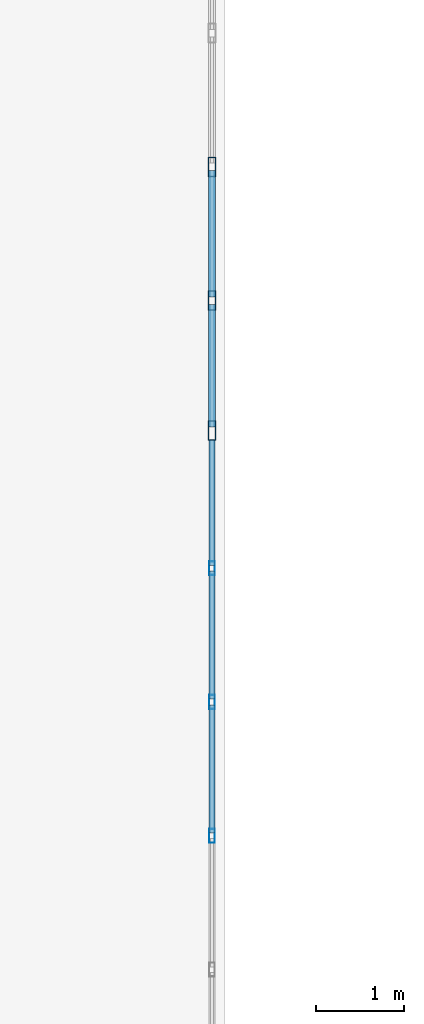
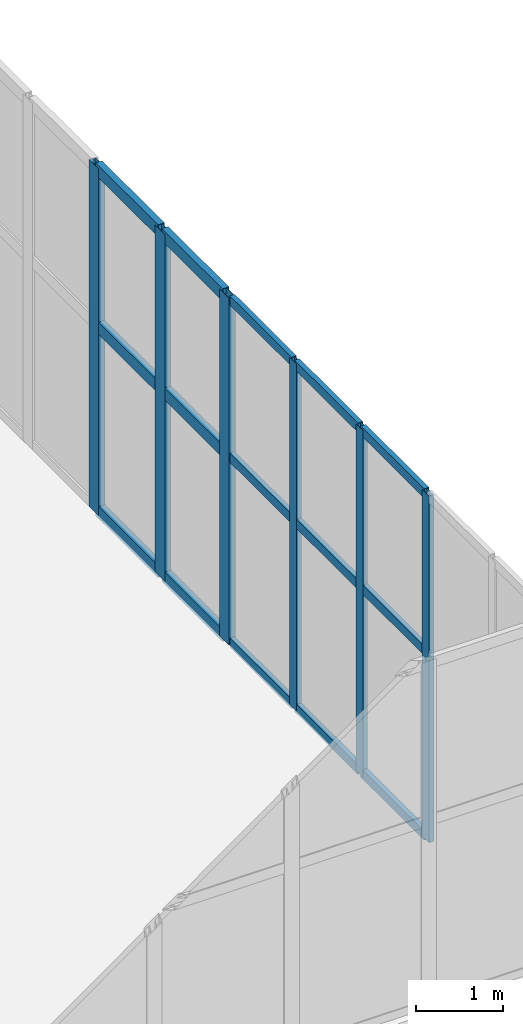
# One storey, part 45 of 128: 21 members, 2 elements without a shape of their own.
"""IFC4 building model written with IfcOpenShell, lengths in metres."""

from ifc_helpers import new_model, si_unit, direction, frame, origin, origin_2d, place, context, subcontext, project, spatial, hollow_rectangle, extrude, material, layer, layer_set, material_profile, profile_set, type_object, element, aggregate, save


model = new_model("IFC4")

# Units and contexts
model_context = context("Model", 3, precision=1e-05, world=origin(), true_north=direction((0.0, 1.0)))
body_context = subcontext(model_context, "Body", "Model", "MODEL_VIEW")
ifc_project = project(units=[si_unit("LENGTHUNIT", "METRE"), si_unit("AREAUNIT", "SQUARE_METRE"), si_unit("VOLUMEUNIT", "CUBIC_METRE"), si_unit("PLANEANGLEUNIT", "RADIAN"), si_unit("MASSUNIT", "GRAM", prefix="KILO")], contexts=[model_context])

# Site, building, storey
site_placement = place(None, origin())
site = spatial("IfcSite", under=ifc_project, at=site_placement, CompositionType="ELEMENT")
building_placement = place(site_placement, origin())
building = spatial("IfcBuilding", under=site, at=building_placement, Name="Xicomal Pleat Aquarium", CompositionType="ELEMENT")
storey_placement = place(building_placement, frame((0.0, 0.0, 5.39990234375)))
storey = spatial("IfcBuildingStorey", under=building, at=storey_placement, Name="L02", CompositionType="ELEMENT", Elevation=5.39990234375)

# Curtain wall, members
ifc_material_1 = material(Name="Bronze anodized aluminium 6063-T6", Category="aluminium")
ifc_layer_1 = layer(ifc_material_1, 0.159912109375)
ifc_layer_set_1 = layer_set([ifc_layer_1], Name="Bronze anodized aluminium 6063-T6")
curtain_wall_type_1 = type_object("IfcCurtainWallType", Name="CW-SYS-02", PredefinedType="NOTDEFINED", material=ifc_layer_set_1)
curtain_wall_1_placement = place(storey_placement, origin())
curtain_wall_1 = element("IfcCurtainWall", 1, at=curtain_wall_1_placement, inside=storey, type_object=curtain_wall_type_1, Name="L02 unitised curtain wall CW-L02-114", PredefinedType="NOTDEFINED")
ifc_material_2 = material(Name="Bronze anodized aluminium 6063-T6", Category="aluminium")
ifc_material_profile_1 = material_profile(ifc_material_2, hollow_rectangle(XDim=0.06494140625, YDim=0.159912109375, WallThickness=0.00390625, at=origin_2d()), Name="ALU MULL 65x160")
ifc_profile_set_1 = profile_set([ifc_material_profile_1], Name="Bronze anodized aluminium 6063-T6")
member_type_1 = type_object("IfcMemberType", Name="CWM-65x160", PredefinedType="MULLION", material=ifc_profile_set_1)
member_1_placement = place(storey_placement, frame((125.860107421875, 44.080078125, 0.0), z_axis=(0.0, 0.0, 1.0), x_axis=(1.0, 0.0, 0.0)))
member_1 = element("IfcMember", 2, at=member_1_placement, type_object=member_type_1, Name="CW-02 mullion 2", PredefinedType="MULLION", context=body_context, shape_type="SweptSolid", body=[
    extrude(hollow_rectangle(XDim=0.06494140625, YDim=0.159912109375, WallThickness=0.00390625, at=origin_2d()), origin(), (0.0, 0.0, 1.0), 4.860107421875),
])
member_2_placement = place(storey_placement, frame((125.860107421875, 42.56005859375, 0.0), z_axis=(0.0, 0.0, 1.0), x_axis=(1.0, 0.0, 0.0)))
member_2 = element("IfcMember", 3, at=member_2_placement, type_object=member_type_1, Name="CW-02 mullion 3", PredefinedType="MULLION", context=body_context, shape_type="SweptSolid", body=[
    extrude(hollow_rectangle(XDim=0.06494140625, YDim=0.159912109375, WallThickness=0.00390625, at=origin_2d()), origin(), (0.0, 0.0, 1.0), 4.860107421875),
])
member_3_placement = place(storey_placement, frame((125.860107421875, 41.0400390625, 0.0), z_axis=(0.0, 0.0, 1.0), x_axis=(1.0, 0.0, 0.0)))
member_3 = element("IfcMember", 4, at=member_3_placement, type_object=member_type_1, Name="CW-02 mullion 4", PredefinedType="MULLION", context=body_context, shape_type="SweptSolid", body=[
    extrude(hollow_rectangle(XDim=0.06494140625, YDim=0.159912109375, WallThickness=0.00390625, at=origin_2d()), origin(), (0.0, 0.0, 1.0), 4.860107421875),
])

ifc_material_3 = material(Name="Bronze anodized aluminium 6063-T6", Category="aluminium")
ifc_layer_2 = layer(ifc_material_3, 0.159912109375)
ifc_layer_set_2 = layer_set([ifc_layer_2], Name="Bronze anodized aluminium 6063-T6")
curtain_wall_type_2 = type_object("IfcCurtainWallType", Name="CW-SYS-12", PredefinedType="NOTDEFINED", material=ifc_layer_set_2)
curtain_wall_2_placement = place(storey_placement, origin())
curtain_wall_2 = element("IfcCurtainWall", 5, at=curtain_wall_2_placement, inside=storey, type_object=curtain_wall_type_2, Name="L02 unitised curtain wall CW-L02-113", PredefinedType="NOTDEFINED")
ifc_material_4 = material(Name="Bronze anodized aluminium 6063-T6", Category="aluminium")
ifc_material_profile_2 = material_profile(ifc_material_4, hollow_rectangle(XDim=0.0849609375, YDim=0.219970703125, WallThickness=0.0048828125, at=origin_2d()), Name="ALU MULL 85x220")
ifc_profile_set_2 = profile_set([ifc_material_profile_2], Name="Bronze anodized aluminium 6063-T6")
member_type_2 = type_object("IfcMemberType", Name="CWM-85x220", PredefinedType="MULLION", material=ifc_profile_set_2)
member_4_placement = place(storey_placement, frame((125.860107421875, 48.639892578125, 0.0), z_axis=(0.0, 0.0, 1.0), x_axis=(1.0, 0.0, 0.0)))
member_4 = element("IfcMember", 6, at=member_4_placement, type_object=member_type_2, Name="CW-12 mullion 4", PredefinedType="MULLION", context=body_context, shape_type="SweptSolid", body=[
    extrude(hollow_rectangle(XDim=0.0849609375, YDim=0.219970703125, WallThickness=0.0048828125, at=origin_2d()), origin(), (0.0, 0.0, 1.0), 4.860107421875),
])
member_5_placement = place(storey_placement, frame((125.860107421875, 47.1201171875, 0.0), z_axis=(0.0, 0.0, 1.0), x_axis=(1.0, 0.0, 0.0)))
member_5 = element("IfcMember", 7, at=member_5_placement, type_object=member_type_2, Name="CW-12 mullion 5", PredefinedType="MULLION", context=body_context, shape_type="SweptSolid", body=[
    extrude(hollow_rectangle(XDim=0.0849609375, YDim=0.219970703125, WallThickness=0.0048828125, at=origin_2d()), origin(), (0.0, 0.0, 1.0), 4.860107421875),
])
member_6_placement = place(storey_placement, frame((125.860107421875, 45.642578125, 0.0), z_axis=(0.0, 0.0, 1.0), x_axis=(1.0, 0.0, 0.0)))
member_6 = element("IfcMember", 8, at=member_6_placement, type_object=member_type_2, Name="CW-12 mullion 6", PredefinedType="MULLION", context=body_context, shape_type="SweptSolid", body=[
    extrude(hollow_rectangle(XDim=0.0849609375, YDim=0.219970703125, WallThickness=0.0048828125, at=origin_2d()), origin(), (0.0, 0.0, 1.0), 4.860107421875),
])

# Member
ifc_material_5 = material(Name="Bronze anodized aluminium 6063-T6", Category="aluminium")
ifc_material_profile_3 = material_profile(ifc_material_5, hollow_rectangle(XDim=0.06494140625, YDim=0.1298828125, WallThickness=0.00390625, at=origin_2d()), Name="ALU TRAN 65x130")
ifc_profile_set_3 = profile_set([ifc_material_profile_3], Name="Bronze anodized aluminium 6063-T6")
member_type_3 = type_object("IfcMemberType", Name="CWT-65x130", PredefinedType="USERDEFINED", material=ifc_profile_set_3)
member_7_placement = place(storey_placement, frame((125.860107421875, 45.534912109375, 0.03271484375), z_axis=(0.0, -1.0, 0.0), x_axis=(1.0, 0.0, 0.0)))
member_7 = element("IfcMember", 9, at=member_7_placement, type_object=member_type_3, Name="CW-02 transom 1.1", ObjectType="TRANSOM", PredefinedType="USERDEFINED", context=body_context, shape_type="SweptSolid", body=[
    extrude(hollow_rectangle(XDim=0.06494140625, YDim=0.1298828125, WallThickness=0.00390625, at=origin_2d()), origin(), (0.0, 0.0, 1.0), 1.42236328125),
])

member_8_placement = place(storey_placement, frame((125.860107421875, 45.534912109375, 2.6240234375), z_axis=(0.0, -1.0, 0.0), x_axis=(1.0, 0.0, 0.0)))
member_8 = element("IfcMember", 10, at=member_8_placement, type_object=member_type_3, Name="CW-02 transom 1.2", ObjectType="TRANSOM", PredefinedType="USERDEFINED", context=body_context, shape_type="SweptSolid", body=[
    extrude(hollow_rectangle(XDim=0.06494140625, YDim=0.1298828125, WallThickness=0.00390625, at=origin_2d()), origin(), (0.0, 0.0, 1.0), 1.42236328125),
])

member_9_placement = place(storey_placement, frame((125.860107421875, 45.534912109375, 4.82763671875), z_axis=(0.0, -1.0, 0.0), x_axis=(1.0, 0.0, 0.0)))
member_9 = element("IfcMember", 11, at=member_9_placement, type_object=member_type_3, Name="CW-02 transom 1.3", ObjectType="TRANSOM", PredefinedType="USERDEFINED", context=body_context, shape_type="SweptSolid", body=[
    extrude(hollow_rectangle(XDim=0.06494140625, YDim=0.1298828125, WallThickness=0.00390625, at=origin_2d()), origin(), (0.0, 0.0, 1.0), 1.42236328125),
])

member_10_placement = place(storey_placement, frame((125.860107421875, 44.047607421875, 0.03271484375), z_axis=(0.0, -1.0, 0.0), x_axis=(1.0, 0.0, 0.0)))
member_10 = element("IfcMember", 12, at=member_10_placement, type_object=member_type_3, Name="CW-02 transom 2.1", ObjectType="TRANSOM", PredefinedType="USERDEFINED", context=body_context, shape_type="SweptSolid", body=[
    extrude(hollow_rectangle(XDim=0.06494140625, YDim=0.1298828125, WallThickness=0.00390625, at=origin_2d()), origin(), (0.0, 0.0, 1.0), 1.455078125),
])

member_11_placement = place(storey_placement, frame((125.860107421875, 44.047607421875, 2.6240234375), z_axis=(0.0, -1.0, 0.0), x_axis=(1.0, 0.0, 0.0)))
member_11 = element("IfcMember", 13, at=member_11_placement, type_object=member_type_3, Name="CW-02 transom 2.2", ObjectType="TRANSOM", PredefinedType="USERDEFINED", context=body_context, shape_type="SweptSolid", body=[
    extrude(hollow_rectangle(XDim=0.06494140625, YDim=0.1298828125, WallThickness=0.00390625, at=origin_2d()), origin(), (0.0, 0.0, 1.0), 1.455078125),
])

member_12_placement = place(storey_placement, frame((125.860107421875, 44.047607421875, 4.82763671875), z_axis=(0.0, -1.0, 0.0), x_axis=(1.0, 0.0, 0.0)))
member_12 = element("IfcMember", 14, at=member_12_placement, type_object=member_type_3, Name="CW-02 transom 2.3", ObjectType="TRANSOM", PredefinedType="USERDEFINED", context=body_context, shape_type="SweptSolid", body=[
    extrude(hollow_rectangle(XDim=0.06494140625, YDim=0.1298828125, WallThickness=0.00390625, at=origin_2d()), origin(), (0.0, 0.0, 1.0), 1.455078125),
])

member_13_placement = place(storey_placement, frame((125.860107421875, 42.527587890625, 0.03271484375), z_axis=(0.0, -1.0, 0.0), x_axis=(1.0, 0.0, 0.0)))
member_13 = element("IfcMember", 15, at=member_13_placement, type_object=member_type_3, Name="CW-02 transom 3.1", ObjectType="TRANSOM", PredefinedType="USERDEFINED", context=body_context, shape_type="SweptSolid", body=[
    extrude(hollow_rectangle(XDim=0.06494140625, YDim=0.1298828125, WallThickness=0.00390625, at=origin_2d()), origin(), (0.0, 0.0, 1.0), 1.455078125),
])

member_14_placement = place(storey_placement, frame((125.860107421875, 42.527587890625, 2.6240234375), z_axis=(0.0, -1.0, 0.0), x_axis=(1.0, 0.0, 0.0)))
member_14 = element("IfcMember", 16, at=member_14_placement, type_object=member_type_3, Name="CW-02 transom 3.2", ObjectType="TRANSOM", PredefinedType="USERDEFINED", context=body_context, shape_type="SweptSolid", body=[
    extrude(hollow_rectangle(XDim=0.06494140625, YDim=0.1298828125, WallThickness=0.00390625, at=origin_2d()), origin(), (0.0, 0.0, 1.0), 1.455078125),
])

member_15_placement = place(storey_placement, frame((125.860107421875, 42.527587890625, 4.82763671875), z_axis=(0.0, -1.0, 0.0), x_axis=(1.0, 0.0, 0.0)))
member_15 = element("IfcMember", 17, at=member_15_placement, type_object=member_type_3, Name="CW-02 transom 3.3", ObjectType="TRANSOM", PredefinedType="USERDEFINED", context=body_context, shape_type="SweptSolid", body=[
    extrude(hollow_rectangle(XDim=0.06494140625, YDim=0.1298828125, WallThickness=0.00390625, at=origin_2d()), origin(), (0.0, 0.0, 1.0), 1.455078125),
])

aggregate(curtain_wall_1, [member_1, member_2, member_3, member_7, member_8, member_9, member_10, member_11, member_12, member_13, member_14, member_15])

ifc_material_6 = material(Name="Bronze anodized aluminium 6063-T6", Category="aluminium")
ifc_material_profile_4 = material_profile(ifc_material_6, hollow_rectangle(XDim=0.0849609375, YDim=0.169921875, WallThickness=0.0048828125, at=origin_2d()), Name="ALU TRAN 85x170")
ifc_profile_set_4 = profile_set([ifc_material_profile_4], Name="Bronze anodized aluminium 6063-T6")
member_type_4 = type_object("IfcMemberType", Name="CWT-85x170", PredefinedType="USERDEFINED", material=ifc_profile_set_4)
member_16_placement = place(storey_placement, frame((125.860107421875, 48.597412109375, 0.04248046875), z_axis=(0.0, -1.0, 0.0), x_axis=(1.0, 0.0, 0.0)))
member_16 = element("IfcMember", 18, at=member_16_placement, type_object=member_type_4, Name="CW-12 transom 4.1", ObjectType="TRANSOM", PredefinedType="USERDEFINED", context=body_context, shape_type="SweptSolid", body=[
    extrude(hollow_rectangle(XDim=0.0849609375, YDim=0.169921875, WallThickness=0.0048828125, at=origin_2d()), origin(), (0.0, 0.0, 1.0), 1.434814453125),
])

member_17_placement = place(storey_placement, frame((125.860107421875, 48.597412109375, 2.6240234375), z_axis=(0.0, -1.0, 0.0), x_axis=(1.0, 0.0, 0.0)))
member_17 = element("IfcMember", 19, at=member_17_placement, type_object=member_type_4, Name="CW-12 transom 4.2", ObjectType="TRANSOM", PredefinedType="USERDEFINED", context=body_context, shape_type="SweptSolid", body=[
    extrude(hollow_rectangle(XDim=0.0849609375, YDim=0.169921875, WallThickness=0.0048828125, at=origin_2d()), origin(), (0.0, 0.0, 1.0), 1.434814453125),
])

member_18_placement = place(storey_placement, frame((125.860107421875, 48.597412109375, 4.817626953125), z_axis=(0.0, -1.0, 0.0), x_axis=(1.0, 0.0, 0.0)))
member_18 = element("IfcMember", 20, at=member_18_placement, type_object=member_type_4, Name="CW-12 transom 4.3", ObjectType="TRANSOM", PredefinedType="USERDEFINED", context=body_context, shape_type="SweptSolid", body=[
    extrude(hollow_rectangle(XDim=0.0849609375, YDim=0.169921875, WallThickness=0.0048828125, at=origin_2d()), origin(), (0.0, 0.0, 1.0), 1.434814453125),
])

member_19_placement = place(storey_placement, frame((125.860107421875, 47.077392578125, 0.04248046875), z_axis=(0.0, -1.0, 0.0), x_axis=(1.0, 0.0, 0.0)))
member_19 = element("IfcMember", 21, at=member_19_placement, type_object=member_type_4, Name="CW-12 transom 5.1", ObjectType="TRANSOM", PredefinedType="USERDEFINED", context=body_context, shape_type="SweptSolid", body=[
    extrude(hollow_rectangle(XDim=0.0849609375, YDim=0.169921875, WallThickness=0.0048828125, at=origin_2d()), origin(), (0.0, 0.0, 1.0), 1.392333984375),
])

member_20_placement = place(storey_placement, frame((125.860107421875, 47.077392578125, 2.6240234375), z_axis=(0.0, -1.0, 0.0), x_axis=(1.0, 0.0, 0.0)))
member_20 = element("IfcMember", 22, at=member_20_placement, type_object=member_type_4, Name="CW-12 transom 5.2", ObjectType="TRANSOM", PredefinedType="USERDEFINED", context=body_context, shape_type="SweptSolid", body=[
    extrude(hollow_rectangle(XDim=0.0849609375, YDim=0.169921875, WallThickness=0.0048828125, at=origin_2d()), origin(), (0.0, 0.0, 1.0), 1.392333984375),
])

member_21_placement = place(storey_placement, frame((125.860107421875, 47.077392578125, 4.817626953125), z_axis=(0.0, -1.0, 0.0), x_axis=(1.0, 0.0, 0.0)))
member_21 = element("IfcMember", 23, at=member_21_placement, type_object=member_type_4, Name="CW-12 transom 5.3", ObjectType="TRANSOM", PredefinedType="USERDEFINED", context=body_context, shape_type="SweptSolid", body=[
    extrude(hollow_rectangle(XDim=0.0849609375, YDim=0.169921875, WallThickness=0.0048828125, at=origin_2d()), origin(), (0.0, 0.0, 1.0), 1.392333984375),
])

aggregate(curtain_wall_2, [member_4, member_5, member_6, member_16, member_17, member_18, member_19, member_20, member_21])

save(model, "model.ifc")
